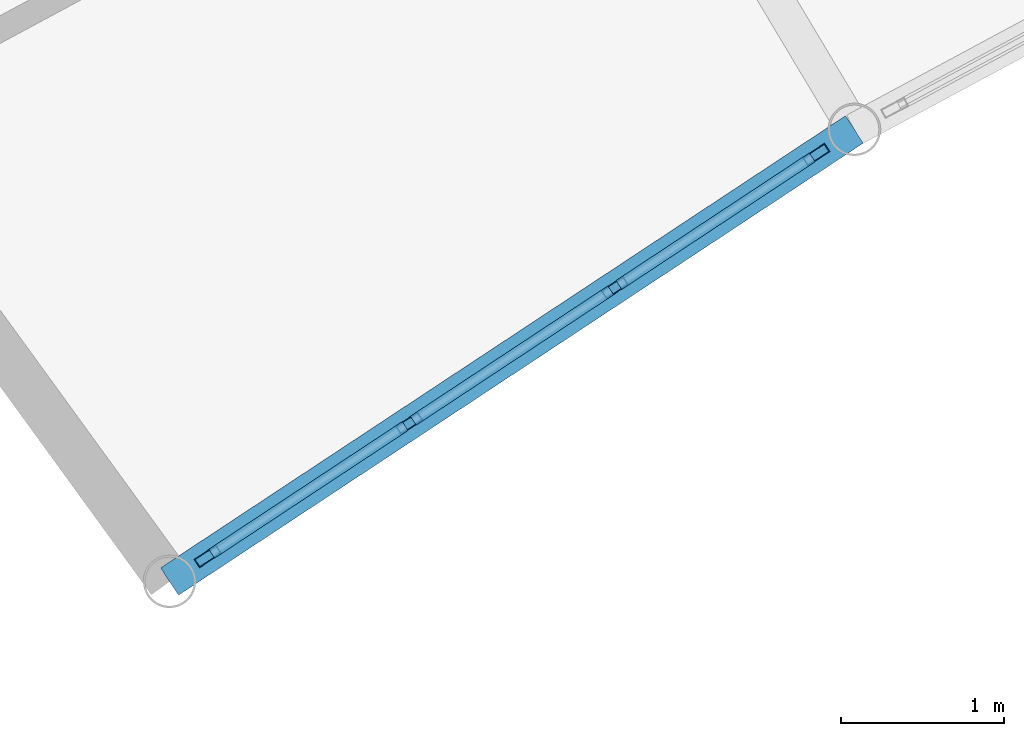
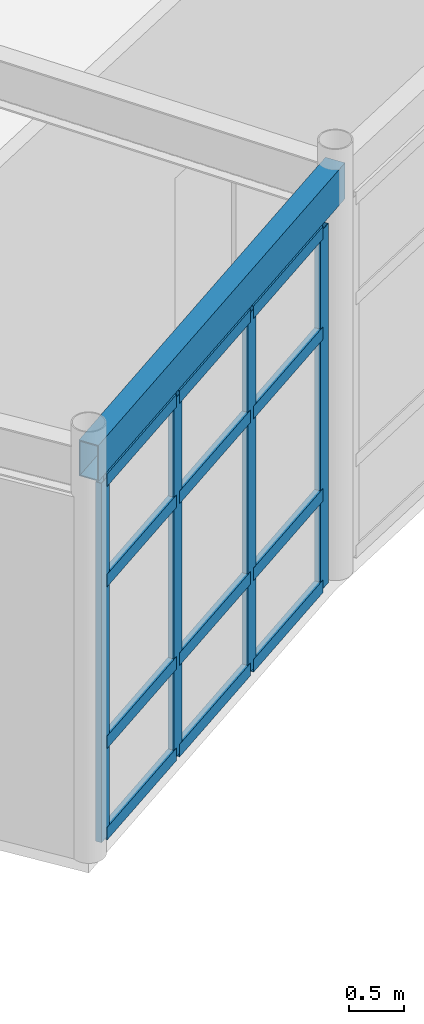
# One storey, part 64 of 116: 16 members, 1 beam, 1 element without a shape of its own.
"""IFC4 building model written with IfcOpenShell, lengths in metres."""

from ifc_helpers import new_model, si_unit, direction, frame, origin, origin_2d, place, context, subcontext, project, spatial, hollow_rectangle, extrude, material, layer, layer_set, material_profile, profile_set, type_object, element, aggregate, save


model = new_model("IFC4")

# Units and contexts
model_context = context("Model", 3, precision=1e-05, world=origin(), true_north=direction((0.0, 1.0)))
body_context = subcontext(model_context, "Body", "Model", "MODEL_VIEW")
ifc_project = project(units=[si_unit("LENGTHUNIT", "METRE"), si_unit("AREAUNIT", "SQUARE_METRE"), si_unit("VOLUMEUNIT", "CUBIC_METRE"), si_unit("PLANEANGLEUNIT", "RADIAN"), si_unit("MASSUNIT", "GRAM", prefix="KILO")], contexts=[model_context])

# Site, building, storey
site_placement = place(None, origin())
site = spatial("IfcSite", under=ifc_project, at=site_placement, CompositionType="ELEMENT")
building_placement = place(site_placement, origin())
building = spatial("IfcBuilding", under=site, at=building_placement, Name="Selat Folded Stagehouse", CompositionType="ELEMENT")
storey_placement = place(building_placement, frame((0.0, 0.0, 5.39990234375)))
storey = spatial("IfcBuildingStorey", under=building, at=storey_placement, Name="L01", CompositionType="ELEMENT", Elevation=5.39990234375)

# Curtain wall, members
ifc_material_1 = material(Name="Aluminium 6063-T6", Category="aluminium")
ifc_layer = layer(ifc_material_1, 0.18994140625)
ifc_layer_set = layer_set([ifc_layer], Name="Aluminium 6063-T6")
curtain_wall_type = type_object("IfcCurtainWallType", Name="CW-REH-ARC", PredefinedType="NOTDEFINED", material=ifc_layer_set)
curtain_wall_placement = place(storey_placement, origin())
curtain_wall = element("IfcCurtainWall", 1, at=curtain_wall_placement, inside=storey, type_object=curtain_wall_type, Name="L01 curtain wall CW-REH-L01-00", PredefinedType="NOTDEFINED")
ifc_material_profile_1 = material_profile(ifc_material_1, hollow_rectangle(XDim=0.06005859375, YDim=0.159912109375, WallThickness=0.00390625, at=origin_2d()), Name="ALU 160x60x4.0")
ifc_profile_set_1 = profile_set([ifc_material_profile_1], Name="Aluminium 6063-T6")
member_type_1 = type_object("IfcMemberType", Name="CWM-MUL-160x60", PredefinedType="MULLION", material=ifc_profile_set_1)
member_1_placement = place(storey_placement, frame((63.44384765625, 85.9189453125, 0.0), z_axis=(0.0, 0.0, 1.0), x_axis=(0.550884695619, -0.834581363399, 0.0)))
member_1 = element("IfcMember", 2, at=member_1_placement, type_object=member_type_1, Name="CW-06 mullion 1", PredefinedType="MULLION", context=body_context, shape_type="SweptSolid", body=[
    extrude(hollow_rectangle(XDim=0.06005859375, YDim=0.159912109375, WallThickness=0.00390625, at=origin_2d()), origin(), (0.0, 0.0, 1.0), 4.0),
])
member_2_placement = place(storey_placement, frame((62.210205078125, 85.1044921875, 0.0), z_axis=(0.0, 0.0, 1.0), x_axis=(0.550884695619, -0.834581363399, 0.0)))
member_2 = element("IfcMember", 3, at=member_2_placement, type_object=member_type_1, Name="CW-06 mullion 2", PredefinedType="MULLION", context=body_context, shape_type="SweptSolid", body=[
    extrude(hollow_rectangle(XDim=0.06005859375, YDim=0.159912109375, WallThickness=0.00390625, at=origin_2d()), origin(), (0.0, 0.0, 1.0), 4.0),
])
member_3_placement = place(storey_placement, frame((60.951416015625, 84.273681640625, 0.0), z_axis=(0.0, 0.0, 1.0), x_axis=(0.550884695619, -0.834581363399, 0.0)))
member_3 = element("IfcMember", 4, at=member_3_placement, type_object=member_type_1, Name="CW-06 mullion 3", PredefinedType="MULLION", context=body_context, shape_type="SweptSolid", body=[
    extrude(hollow_rectangle(XDim=0.06005859375, YDim=0.159912109375, WallThickness=0.00390625, at=origin_2d()), origin(), (0.0, 0.0, 1.0), 4.0),
])
member_4_placement = place(storey_placement, frame((59.717529296875, 83.459228515625, 0.0), z_axis=(0.0, 0.0, 1.0), x_axis=(0.550884695619, -0.834581363399, 0.0)))
member_4 = element("IfcMember", 5, at=member_4_placement, type_object=member_type_1, Name="CW-06 mullion 4", PredefinedType="MULLION", context=body_context, shape_type="SweptSolid", body=[
    extrude(hollow_rectangle(XDim=0.06005859375, YDim=0.159912109375, WallThickness=0.00390625, at=origin_2d()), origin(), (0.0, 0.0, 1.0), 4.0),
])
ifc_material_profile_2 = material_profile(ifc_material_1, hollow_rectangle(XDim=0.06494140625, YDim=0.139892578125, WallThickness=0.00390625, at=origin_2d()), Name="ALU 140x65x4.0")
ifc_profile_set_2 = profile_set([ifc_material_profile_2], Name="Aluminium 6063-T6")
member_type_2 = type_object("IfcMemberType", Name="CWM-TRN-140x65", PredefinedType="USERDEFINED", material=ifc_profile_set_2)
member_5_placement = place(storey_placement, frame((63.4189453125, 85.90234375, 0.03271484375), z_axis=(-0.834584079601, -0.550880580595, 0.0), x_axis=(0.550880580595, -0.834584079601, 0.0)))
member_5 = element("IfcMember", 6, at=member_5_placement, type_object=member_type_2, Name="CW-06 transom 1.1", ObjectType="TRANSOM", PredefinedType="USERDEFINED", context=body_context, shape_type="SweptSolid", body=[
    extrude(hollow_rectangle(XDim=0.06494140625, YDim=0.139892578125, WallThickness=0.00390625, at=origin_2d()), origin(), (0.0, 0.0, 1.0), 1.418212890625),
])
member_6_placement = place(storey_placement, frame((63.4189453125, 85.90234375, 1.050048828125), z_axis=(-0.834584079601, -0.550880580595, 0.0), x_axis=(0.550880580595, -0.834584079601, 0.0)))
member_6 = element("IfcMember", 7, at=member_6_placement, type_object=member_type_2, Name="CW-06 transom 1.2", ObjectType="TRANSOM", PredefinedType="USERDEFINED", context=body_context, shape_type="SweptSolid", body=[
    extrude(hollow_rectangle(XDim=0.06494140625, YDim=0.139892578125, WallThickness=0.00390625, at=origin_2d()), origin(), (0.0, 0.0, 1.0), 1.418212890625),
])
member_7_placement = place(storey_placement, frame((63.4189453125, 85.90234375, 2.85009765625), z_axis=(-0.834584079601, -0.550880580595, 0.0), x_axis=(0.550880580595, -0.834584079601, 0.0)))
member_7 = element("IfcMember", 8, at=member_7_placement, type_object=member_type_2, Name="CW-06 transom 1.3", ObjectType="TRANSOM", PredefinedType="USERDEFINED", context=body_context, shape_type="SweptSolid", body=[
    extrude(hollow_rectangle(XDim=0.06494140625, YDim=0.139892578125, WallThickness=0.00390625, at=origin_2d()), origin(), (0.0, 0.0, 1.0), 1.418212890625),
])
member_8_placement = place(storey_placement, frame((63.4189453125, 85.90234375, 3.967529296875), z_axis=(-0.834584079601, -0.550880580595, 0.0), x_axis=(0.550880580595, -0.834584079601, 0.0)))
member_8 = element("IfcMember", 9, at=member_8_placement, type_object=member_type_2, Name="CW-06 transom 1.4", ObjectType="TRANSOM", PredefinedType="USERDEFINED", context=body_context, shape_type="SweptSolid", body=[
    extrude(hollow_rectangle(XDim=0.06494140625, YDim=0.139892578125, WallThickness=0.00390625, at=origin_2d()), origin(), (0.0, 0.0, 1.0), 1.418212890625),
])
member_9_placement = place(storey_placement, frame((62.18505859375, 85.087890625, 0.03271484375), z_axis=(-0.834583056491, -0.550882130603, 0.0), x_axis=(0.550882130603, -0.834583056491, 0.0)))
member_9 = element("IfcMember", 10, at=member_9_placement, type_object=member_type_2, Name="CW-06 transom 2.1", ObjectType="TRANSOM", PredefinedType="USERDEFINED", context=body_context, shape_type="SweptSolid", body=[
    extrude(hollow_rectangle(XDim=0.06494140625, YDim=0.139892578125, WallThickness=0.00390625, at=origin_2d()), origin(), (0.0, 0.0, 1.0), 1.4482421875),
])
member_10_placement = place(storey_placement, frame((62.18505859375, 85.087890625, 1.050048828125), z_axis=(-0.834583056491, -0.550882130603, 0.0), x_axis=(0.550882130603, -0.834583056491, 0.0)))
member_10 = element("IfcMember", 11, at=member_10_placement, type_object=member_type_2, Name="CW-06 transom 2.2", ObjectType="TRANSOM", PredefinedType="USERDEFINED", context=body_context, shape_type="SweptSolid", body=[
    extrude(hollow_rectangle(XDim=0.06494140625, YDim=0.139892578125, WallThickness=0.00390625, at=origin_2d()), origin(), (0.0, 0.0, 1.0), 1.4482421875),
])
member_11_placement = place(storey_placement, frame((62.18505859375, 85.087890625, 2.85009765625), z_axis=(-0.834583056491, -0.550882130603, 0.0), x_axis=(0.550882130603, -0.834583056491, 0.0)))
member_11 = element("IfcMember", 12, at=member_11_placement, type_object=member_type_2, Name="CW-06 transom 2.3", ObjectType="TRANSOM", PredefinedType="USERDEFINED", context=body_context, shape_type="SweptSolid", body=[
    extrude(hollow_rectangle(XDim=0.06494140625, YDim=0.139892578125, WallThickness=0.00390625, at=origin_2d()), origin(), (0.0, 0.0, 1.0), 1.4482421875),
])
member_12_placement = place(storey_placement, frame((62.18505859375, 85.087890625, 3.967529296875), z_axis=(-0.834583056491, -0.550882130603, 0.0), x_axis=(0.550882130603, -0.834583056491, 0.0)))
member_12 = element("IfcMember", 13, at=member_12_placement, type_object=member_type_2, Name="CW-06 transom 2.4", ObjectType="TRANSOM", PredefinedType="USERDEFINED", context=body_context, shape_type="SweptSolid", body=[
    extrude(hollow_rectangle(XDim=0.06494140625, YDim=0.139892578125, WallThickness=0.00390625, at=origin_2d()), origin(), (0.0, 0.0, 1.0), 1.4482421875),
])
member_13_placement = place(storey_placement, frame((60.92626953125, 84.257080078125, 0.03271484375), z_axis=(-0.834584079601, -0.550880580595, 0.0), x_axis=(0.550880580595, -0.834584079601, 0.0)))
member_13 = element("IfcMember", 14, at=member_13_placement, type_object=member_type_2, Name="CW-06 transom 3.1", ObjectType="TRANSOM", PredefinedType="USERDEFINED", context=body_context, shape_type="SweptSolid", body=[
    extrude(hollow_rectangle(XDim=0.06494140625, YDim=0.139892578125, WallThickness=0.00390625, at=origin_2d()), origin(), (0.0, 0.0, 1.0), 1.418212890625),
])
member_14_placement = place(storey_placement, frame((60.92626953125, 84.257080078125, 1.050048828125), z_axis=(-0.834584079601, -0.550880580595, 0.0), x_axis=(0.550880580595, -0.834584079601, 0.0)))
member_14 = element("IfcMember", 15, at=member_14_placement, type_object=member_type_2, Name="CW-06 transom 3.2", ObjectType="TRANSOM", PredefinedType="USERDEFINED", context=body_context, shape_type="SweptSolid", body=[
    extrude(hollow_rectangle(XDim=0.06494140625, YDim=0.139892578125, WallThickness=0.00390625, at=origin_2d()), origin(), (0.0, 0.0, 1.0), 1.418212890625),
])
member_15_placement = place(storey_placement, frame((60.92626953125, 84.257080078125, 2.85009765625), z_axis=(-0.834584079601, -0.550880580595, 0.0), x_axis=(0.550880580595, -0.834584079601, 0.0)))
member_15 = element("IfcMember", 16, at=member_15_placement, type_object=member_type_2, Name="CW-06 transom 3.3", ObjectType="TRANSOM", PredefinedType="USERDEFINED", context=body_context, shape_type="SweptSolid", body=[
    extrude(hollow_rectangle(XDim=0.06494140625, YDim=0.139892578125, WallThickness=0.00390625, at=origin_2d()), origin(), (0.0, 0.0, 1.0), 1.418212890625),
])
member_16_placement = place(storey_placement, frame((60.92626953125, 84.257080078125, 3.967529296875), z_axis=(-0.834584079601, -0.550880580595, 0.0), x_axis=(0.550880580595, -0.834584079601, 0.0)))
member_16 = element("IfcMember", 17, at=member_16_placement, type_object=member_type_2, Name="CW-06 transom 3.4", ObjectType="TRANSOM", PredefinedType="USERDEFINED", context=body_context, shape_type="SweptSolid", body=[
    extrude(hollow_rectangle(XDim=0.06494140625, YDim=0.139892578125, WallThickness=0.00390625, at=origin_2d()), origin(), (0.0, 0.0, 1.0), 1.418212890625),
])
aggregate(curtain_wall, [member_1, member_2, member_3, member_4, member_5, member_6, member_7, member_8, member_9, member_10, member_11, member_12, member_13, member_14, member_15, member_16])

# Beam
ifc_material_2 = material(Name="Steel S355", Category="steel")
ifc_material_profile_3 = material_profile(ifc_material_2, hollow_rectangle(XDim=0.199951171875, YDim=0.39990234375, WallThickness=0.012451171875, at=origin_2d()), Name="RHS 400x200x12.5")
ifc_profile_set_3 = profile_set([ifc_material_profile_3], Name="Steel S355")
beam_type = type_object("IfcBeamType", Name="SPD-EXT-400x200", PredefinedType="SPANDREL", material=ifc_profile_set_3)
beam_placement = place(storey_placement, frame((59.48388671875, 83.304931640625, 4.3701171875), z_axis=(0.834583047468, 0.550882144274, 0.0), x_axis=(-0.550882144274, 0.834583047468, 0.0)))
element("IfcBeam", 18, at=beam_placement, inside=storey, type_object=beam_type, Name="L01 inner curved rehearsal spandrel 1", PredefinedType="SPANDREL", context=body_context, shape_type="SweptSolid", body=[
    extrude(hollow_rectangle(XDim=0.199951171875, YDim=0.39990234375, WallThickness=0.012451171875, at=origin_2d()), origin(), (0.0, 0.0, 1.0), 5.02490234375),
])

save(model, "model.ifc")
